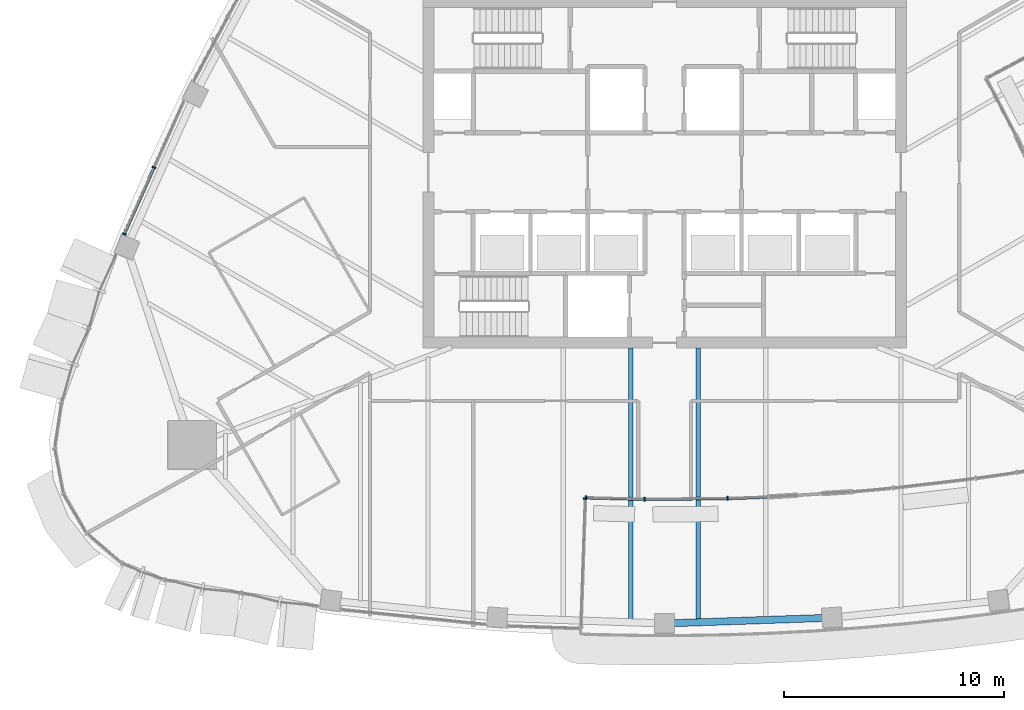
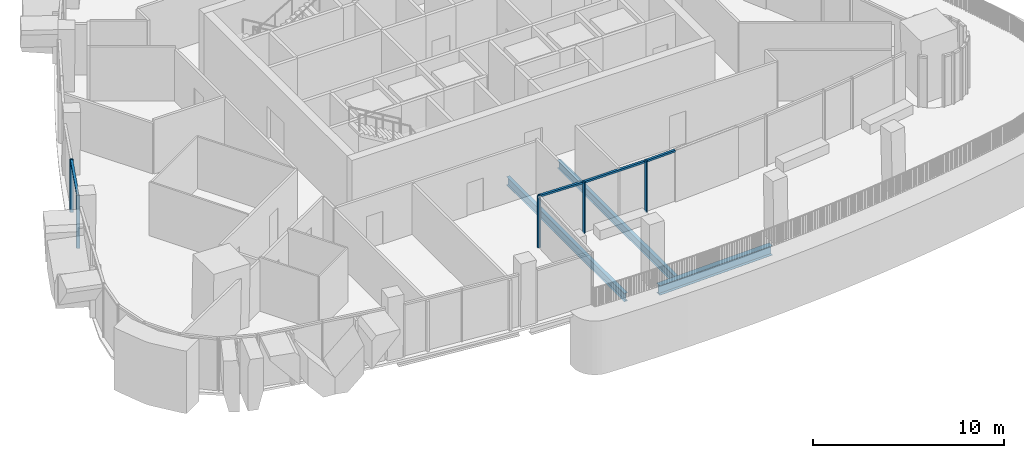
# One storey, part 3 of 21: 10 members, 3 beams, 5 elements without a shape of their own.
"""IFC4 building model written with IfcOpenShell, lengths in metres."""

from ifc_helpers import new_model, si_unit, direction, frame, origin, origin_2d, place, context, subcontext, project, spatial, rectangle, i_section, extrude, material, layer, layer_set, material_profile, profile_set, type_object, element, aggregate, save


model = new_model("IFC4")

# Units and contexts
model_context = context("Model", 3, precision=1e-05, world=origin(), true_north=direction((0.0, 1.0)))
body_context = subcontext(model_context, "Body", "Model", "MODEL_VIEW")
ifc_project = project(units=[si_unit("LENGTHUNIT", "METRE"), si_unit("AREAUNIT", "SQUARE_METRE"), si_unit("VOLUMEUNIT", "CUBIC_METRE"), si_unit("PLANEANGLEUNIT", "RADIAN"), si_unit("MASSUNIT", "GRAM", prefix="KILO")], contexts=[model_context])

# Site, building, storey
site_placement = place(None, origin())
site = spatial("IfcSite", under=ifc_project, at=site_placement, CompositionType="ELEMENT")
building_placement = place(site_placement, origin())
building = spatial("IfcBuilding", under=site, at=building_placement, Name="Sierra Prisma Convention Tower", CompositionType="ELEMENT")
storey_placement = place(building_placement, frame((0.0, 0.0, 259.0)))
storey = spatial("IfcBuildingStorey", under=building, at=storey_placement, Name="L58", CompositionType="ELEMENT", Elevation=259.0)

# Curtain wall, members
ifc_material_1 = material(Name="Aluminium and glass curtain wall", Category="aluminium")
ifc_layer_1 = layer(ifc_material_1, 0.179931640625)
ifc_layer_set_1 = layer_set([ifc_layer_1], Name="CW-1 Plain shaft curtain wall")
curtain_wall_type_1 = type_object("IfcCurtainWallType", Name="CW-1 Plain shaft curtain wall", PredefinedType="NOTDEFINED", material=ifc_layer_set_1)
curtain_wall_1_placement = place(storey_placement, origin())
curtain_wall_1 = element("IfcCurtainWall", 1, at=curtain_wall_1_placement, inside=storey, type_object=curtain_wall_type_1, Name="CW-1 NW5 L58", PredefinedType="NOTDEFINED")
ifc_material_2 = material(Name="Aluminium 6063-T6 bronze anodised", Category="aluminium")
ifc_material_profile_1 = material_profile(ifc_material_2, rectangle(XDim=0.179931640625, YDim=0.070068359375, at=origin_2d()), Name="ALU MULLION 70x180")
ifc_profile_set_1 = profile_set([ifc_material_profile_1], Name="Aluminium 6063-T6 bronze anodised")
member_type_1 = type_object("IfcMemberType", Name="CW mullion bronze", PredefinedType="MULLION", material=ifc_profile_set_1)
member_1_placement = place(storey_placement, frame((-23.22412109375, 0.217529296875, 0.0), z_axis=(0.0, 0.0, 1.0), x_axis=(0.91272615913, -0.408571852237, 0.0)))
member_1 = element("IfcMember", 2, at=member_1_placement, type_object=member_type_1, Name="CW-1 mullion NW5.2", PredefinedType="MULLION", context=body_context, shape_type="SweptSolid", body=[
    extrude(rectangle(XDim=0.179931640625, YDim=0.070068359375, at=origin_2d()), origin(), (0.0, 0.0, 1.0), 3.39990234375),
])
member_2_placement = place(storey_placement, frame((-24.5791015625, -2.809326171875, 0.0), z_axis=(0.0, 0.0, 1.0), x_axis=(0.91272615913, -0.408571852237, 0.0)))
member_2 = element("IfcMember", 3, at=member_2_placement, type_object=member_type_1, Name="CW-1 mullion NW5.3", PredefinedType="MULLION", context=body_context, shape_type="SweptSolid", body=[
    extrude(rectangle(XDim=0.179931640625, YDim=0.070068359375, at=origin_2d()), origin(), (0.0, 0.0, 1.0), 3.39990234375),
])

# Curtain wall, member
ifc_material_3 = material(Name="Aluminium and glass curtain wall", Category="aluminium")
ifc_layer_2 = layer(ifc_material_3, 0.179931640625)
ifc_layer_set_2 = layer_set([ifc_layer_2], Name="CW-6 Terrace recess curtain wall")
curtain_wall_type_2 = type_object("IfcCurtainWallType", Name="CW-6 Terrace recess curtain wall", PredefinedType="NOTDEFINED", material=ifc_layer_set_2)
curtain_wall_2_placement = place(storey_placement, origin())
curtain_wall_2 = element("IfcCurtainWall", 4, at=curtain_wall_2_placement, inside=storey, type_object=curtain_wall_type_2, Name="CW-6 R1 L58", PredefinedType="NOTDEFINED")
member_3_placement = place(storey_placement, frame((-3.576416015625, -14.7978515625, 0.0), z_axis=(0.0, 0.0, 1.0), x_axis=(0.026790698865, 0.99964106481, 0.0)))
member_3 = element("IfcMember", 5, at=member_3_placement, type_object=member_type_1, Name="CW-6 mullion R1.1", PredefinedType="MULLION", context=body_context, shape_type="SweptSolid", body=[
    extrude(rectangle(XDim=0.179931640625, YDim=0.070068359375, at=origin_2d()), origin(), (0.0, 0.0, 1.0), 3.340087890625),
])

curtain_wall_3_placement = place(storey_placement, origin())
curtain_wall_3 = element("IfcCurtainWall", 6, at=curtain_wall_3_placement, inside=storey, type_object=curtain_wall_type_2, Name="CW-6 R2 L58", PredefinedType="NOTDEFINED")
member_4_placement = place(storey_placement, frame((-0.908935546875, -14.8681640625, 0.0), z_axis=(0.0, 0.0, 1.0), x_axis=(-0.008931182823, 0.999960116191, 0.0)))
member_4 = element("IfcMember", 7, at=member_4_placement, type_object=member_type_1, Name="CW-6 mullion R2.1", PredefinedType="MULLION", context=body_context, shape_type="SweptSolid", body=[
    extrude(rectangle(XDim=0.179931640625, YDim=0.070068359375, at=origin_2d()), origin(), (0.0, 0.0, 1.0), 3.340087890625),
])

curtain_wall_4_placement = place(storey_placement, origin())
curtain_wall_4 = element("IfcCurtainWall", 8, at=curtain_wall_4_placement, inside=storey, type_object=curtain_wall_type_2, Name="CW-6 R3 L58", PredefinedType="NOTDEFINED")
member_5_placement = place(storey_placement, frame((2.86669921875, -14.83349609375, 0.0), z_axis=(0.0, 0.0, 1.0), x_axis=(-0.035717607474, 0.999361922687, 0.0)))
member_5 = element("IfcMember", 9, at=member_5_placement, type_object=member_type_1, Name="CW-6 mullion R3.1", PredefinedType="MULLION", context=body_context, shape_type="SweptSolid", body=[
    extrude(rectangle(XDim=0.179931640625, YDim=0.070068359375, at=origin_2d()), origin(), (0.0, 0.0, 1.0), 3.340087890625),
])

curtain_wall_5_placement = place(storey_placement, origin())
curtain_wall_5 = element("IfcCurtainWall", 10, at=curtain_wall_5_placement, inside=storey, type_object=curtain_wall_type_2, Name="CW-6 RT1 L58", PredefinedType="NOTDEFINED")
member_6_placement = place(storey_placement, frame((-3.612548828125, -14.831787109375, 0.0), z_axis=(0.0, 0.0, 1.0), x_axis=(-0.999413982938, 0.034229967994, 0.0)))
member_6 = element("IfcMember", 11, at=member_6_placement, type_object=member_type_1, Name="CW-6 mullion RT1.2", PredefinedType="MULLION", context=body_context, shape_type="SweptSolid", body=[
    extrude(rectangle(XDim=0.179931640625, YDim=0.070068359375, at=origin_2d()), origin(), (0.0, 0.0, 1.0), 3.340087890625),
])
aggregate(curtain_wall_5, [member_6])

# Member
ifc_material_4 = material(Name="Aluminium 6063-T6 bronze anodised", Category="aluminium")
ifc_material_profile_2 = material_profile(ifc_material_4, rectangle(XDim=0.139892578125, YDim=0.1201171875, at=origin_2d()), Name="ALU TRANSOM 120x140")
ifc_profile_set_2 = profile_set([ifc_material_profile_2], Name="Aluminium 6063-T6 bronze anodised")
member_type_2 = type_object("IfcMemberType", Name="CW transom bronze", PredefinedType="USERDEFINED", material=ifc_profile_set_2)
member_7_placement = place(storey_placement, frame((-23.23828125, 0.185546875, 3.340087890625), z_axis=(-0.408572171541, -0.912726016197, 0.0), x_axis=(0.912726016197, -0.408572171541, 0.0)))
member_7 = element("IfcMember", 12, at=member_7_placement, type_object=member_type_2, Name="CW-1 transom NW5.2", ObjectType="TRANSOM", PredefinedType="USERDEFINED", context=body_context, shape_type="SweptSolid", body=[
    extrude(rectangle(XDim=0.139892578125, YDim=0.1201171875, at=origin_2d()), origin(), (0.0, 0.0, 1.0), 3.24658203125),
])

aggregate(curtain_wall_1, [member_1, member_2, member_7])

member_8_placement = place(storey_placement, frame((-3.54150390625, -14.798828125, 3.280029296875), z_axis=(0.999642262868, -0.026745958352, 0.0), x_axis=(0.026745958352, 0.999642262868, 0.0)))
member_8 = element("IfcMember", 13, at=member_8_placement, type_object=member_type_2, Name="CW-6 transom R1.1", ObjectType="TRANSOM", PredefinedType="USERDEFINED", context=body_context, shape_type="SweptSolid", body=[
    extrude(rectangle(XDim=0.139892578125, YDim=0.1201171875, at=origin_2d()), origin(), (0.0, 0.0, 1.0), 2.528564453125),
])

aggregate(curtain_wall_2, [member_3, member_8])

member_9_placement = place(storey_placement, frame((-0.8740234375, -14.86767578125, 3.280029296875), z_axis=(0.999960121276, 0.008930613492, 0.0), x_axis=(-0.008930613492, 0.999960121276, 0.0)))
member_9 = element("IfcMember", 14, at=member_9_placement, type_object=member_type_2, Name="CW-6 transom R2.1", ObjectType="TRANSOM", PredefinedType="USERDEFINED", context=body_context, shape_type="SweptSolid", body=[
    extrude(rectangle(XDim=0.139892578125, YDim=0.1201171875, at=origin_2d()), origin(), (0.0, 0.0, 1.0), 3.635986328125),
])

aggregate(curtain_wall_3, [member_4, member_9])

member_10_placement = place(storey_placement, frame((2.901611328125, -14.832275390625, 3.280029296875), z_axis=(0.999360539192, 0.035756296021, 0.0), x_axis=(-0.035756296021, 0.999360539192, 0.0)))
member_10 = element("IfcMember", 15, at=member_10_placement, type_object=member_type_2, Name="CW-6 transom R3.1", ObjectType="TRANSOM", PredefinedType="USERDEFINED", context=body_context, shape_type="SweptSolid", body=[
    extrude(rectangle(XDim=0.139892578125, YDim=0.1201171875, at=origin_2d()), origin(), (0.0, 0.0, 1.0), 1.748046875),
])

aggregate(curtain_wall_4, [member_5, member_10])

# Beams
ifc_material_5 = material(Name="Steel ASTM A992 Gr 50", Category="steel")
ifc_material_profile_3 = material_profile(ifc_material_5, i_section(OverallWidth=0.208984375, OverallDepth=0.532958984375, WebThickness=0.01025390625, FlangeThickness=0.015625, at=origin_2d()), Name="W530x92")
ifc_profile_set_3 = profile_set([ifc_material_profile_3], Name="Steel ASTM A992 Gr 50")
beam_type_1 = type_object("IfcBeamType", Name="Floor joist W530x92", PredefinedType="JOIST", material=ifc_profile_set_3)
for number, where, z_axis, x_axis, name in (
    (16, (-1.53662109375, -20.357666015625, -0.56640625), (0.0, 1.0, 0.0), (-1.0, 0.0, 0.0), "Floor joist L58 S07"),
    (17, (1.53662109375, -20.357666015625, -0.56640625), (0.0, 1.0, 0.0), (-1.0, 0.0, 0.0), "Floor joist L58 S08"),
):
    element("IfcBeam", number, at=place(storey_placement, frame(where, z_axis=z_axis, x_axis=x_axis)), inside=storey, type_object=beam_type_1, Name=name, PredefinedType="JOIST", context=body_context, shape_type="SweptSolid", body=[
        extrude(i_section(OverallWidth=0.208984375, OverallDepth=0.532958984375, WebThickness=0.01025390625, FlangeThickness=0.015625, at=origin_2d()), origin(), (0.0, 0.0, 1.0), 12.357666015625),
    ])
ifc_material_6 = material(Name="Steel ASTM A992 Gr 50", Category="steel")
ifc_material_profile_4 = material_profile(ifc_material_6, i_section(OverallWidth=0.324951171875, OverallDepth=0.615966796875, WebThickness=0.013916015625, FlangeThickness=0.021484375, at=origin_2d()), Name="W610x174")
ifc_profile_set_4 = profile_set([ifc_material_profile_4], Name="Steel ASTM A992 Gr 50")
beam_type_2 = type_object("IfcBeamType", Name="Spandrel beam W610x174", PredefinedType="BEAM", material=ifc_profile_set_4)
beam_placement = place(storey_placement, frame((0.330078125, -20.511474609375, -0.60791015625), z_axis=(0.999414175295, 0.034224351254, 0.0), x_axis=(-0.034224351254, 0.999414175295, 0.0)))
element("IfcBeam", 18, at=beam_placement, inside=storey, type_object=beam_type_2, Name="Spandrel L58-04", PredefinedType="BEAM", context=body_context, shape_type="SweptSolid", body=[
    extrude(i_section(OverallWidth=0.324951171875, OverallDepth=0.615966796875, WebThickness=0.013916015625, FlangeThickness=0.021484375, at=origin_2d()), origin(), (0.0, 0.0, 1.0), 6.96240234375),
])

save(model, "model.ifc")
